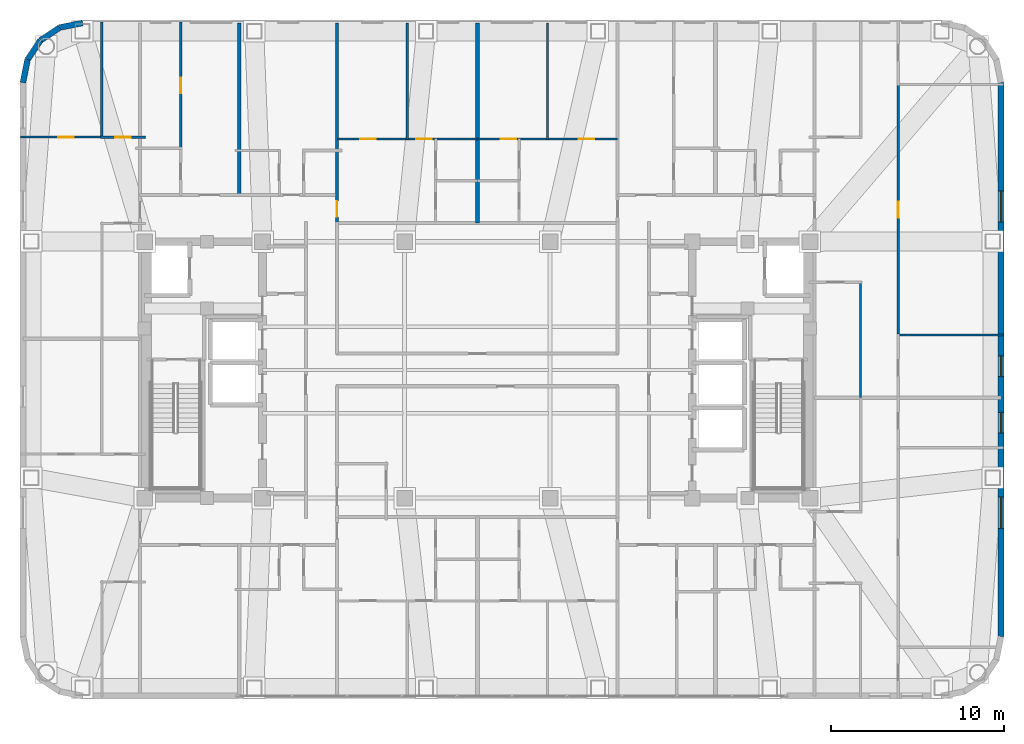
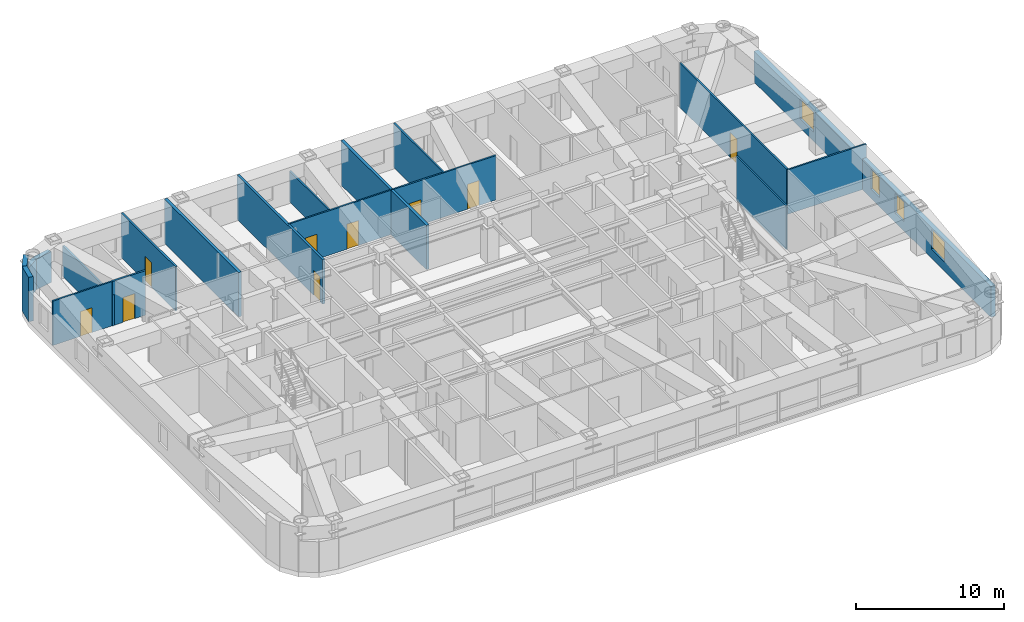
# One storey, part 13 of 16: 19 walls, 9 doors, 4 windows, 13 openings.
"""IFC4 building model written with IfcOpenShell, lengths in metres."""

from ifc_helpers import new_model, si_unit, direction, frame, frame_2d, origin, place, context, subcontext, project, spatial, rectangle, extrude, material, layer, layer_set, type_object, element, fill, save


model = new_model("IFC4")

# Units and contexts
model_context = context("Model", 3, precision=1e-05, world=origin(), true_north=direction((0.0, 1.0)))
body_context = subcontext(model_context, "Body", "Model", "MODEL_VIEW")
ifc_project = project(units=[si_unit("LENGTHUNIT", "METRE"), si_unit("AREAUNIT", "SQUARE_METRE"), si_unit("VOLUMEUNIT", "CUBIC_METRE"), si_unit("PLANEANGLEUNIT", "RADIAN"), si_unit("MASSUNIT", "GRAM", prefix="KILO")], contexts=[model_context])

# Site, building, storey
site_placement = place(None, origin())
site = spatial("IfcSite", under=ifc_project, at=site_placement, CompositionType="ELEMENT")
building_placement = place(site_placement, origin())
building = spatial("IfcBuilding", under=site, at=building_placement, Name="Voryun Gate Residences", CompositionType="ELEMENT")
storey_placement = place(building_placement, frame((0.0, 0.0, 200.199951171875)))
storey = spatial("IfcBuildingStorey", under=building, at=storey_placement, Name="L49", CompositionType="ELEMENT", Elevation=200.199951171875)

# Wall, opening, door
ifc_material_1 = material(Name="Gypsum acoustic fireboard")
ifc_layer_1 = layer(ifc_material_1, 0.179931640625, Name="W_CORR_RATED_180")
ifc_layer_set_1 = layer_set([ifc_layer_1], Name="Gypsum acoustic fireboard")
wall_type_1 = type_object("IfcWallType", Name="W_CORR_RATED_180", PredefinedType="PARTITIONING", material=ifc_layer_set_1)
wall_1_placement = place(storey_placement, frame((-8.10009765625, 8.489990234375, 0.0), z_axis=(0.0, 0.0, 1.0), x_axis=(0.0, 1.0, 0.0)))
wall_1 = element("IfcWall", 1, at=wall_1_placement, inside=storey, type_object=wall_type_1, Name="Partition wall WP-L49-NZV-1", PredefinedType="PARTITIONING", context=body_context, shape_type="SweptSolid", body=[
    extrude(rectangle(XDim=11.5400390625, YDim=0.179931640625, at=frame_2d((5.77001953125, 0.0))), origin(), (0.0, 0.0, 1.0), 3.650146484375),
])
opening_1_placement = place(wall_1_placement, frame((0.349609375, 0.0, 0.0)))
opening_1 = element("IfcOpeningElement", 2, at=opening_1_placement, cuts=wall_1, Name="Opening D-INT-2", PredefinedType="OPENING", context=body_context, shape_type="SweptSolid", body=[
    extrude(rectangle(XDim=0.89990234375, YDim=2.050048828125, at=frame_2d((0.449951171875, 1.02490234375))), frame((0.0, 0.099853515625, 0.0), z_axis=(0.0, -1.0, 0.0), x_axis=(1.0, 0.0, 0.0)), (0.0, 0.0, 1.0), 0.199951171875),
])
ifc_material_2 = material(Name="Architectural oak veneer")
door_type = type_object("IfcDoorType", Name="DR_INT_BATH_900", OperationType="NOTDEFINED", PredefinedType="DOOR", material=ifc_material_2)
door_1_placement = place(opening_1_placement, origin())
door_1 = element("IfcDoor", 3, at=door_1_placement, inside=storey, type_object=door_type, Name="Door DR-L49-NZENT-1", OperationType="SINGLE_SWING_LEFT", OverallHeight=2.050048828125, OverallWidth=0.89990234375, PredefinedType="DOOR", context=body_context, shape_type="SweptSolid", body=[
    extrude(rectangle(XDim=0.89990234375, YDim=2.050048828125, at=frame_2d((0.449951171875, 1.02490234375))), frame((0.0, 0.02490234375, 0.0), z_axis=(0.0, -1.0, 0.0), x_axis=(1.0, 0.0, 0.0)), (0.0, 0.0, 1.0), 0.050048828125),
])
fill(opening_1, door_1)

# Walls
ifc_material_3 = material(Name="Charcoal terracotta masonry", Category="masonry")
ifc_layer_2 = layer(ifc_material_3, 0.340087890625, Name="W_EXT_TERRACOTTA_340")
ifc_layer_set_2 = layer_set([ifc_layer_2], Name="Charcoal terracotta masonry")
wall_type_2 = type_object("IfcWallType", Name="W_EXT_TERRACOTTA_340", PredefinedType="ELEMENTEDWALL", material=ifc_layer_set_2)
wall_2_placement = place(storey_placement, frame((-26.22998046875, 16.583251953125, 0.0), z_axis=(0.0, 0.0, 1.0), x_axis=(0.195075878998, 0.980788153188, 0.0)))
element("IfcWall", 4, at=wall_2_placement, inside=storey, type_object=wall_type_2, Name="Exterior wall WEXT-L49-07", PredefinedType="ELEMENTEDWALL", context=body_context, shape_type="SweptSolid", body=[
    extrude(rectangle(XDim=1.354248046875, YDim=0.340087890625, at=frame_2d((0.67724609375, 0.0))), origin(), (0.0, 0.0, 1.0), 3.650146484375),
])
wall_3_placement = place(storey_placement, frame((-25.9658203125, 17.911376953125, 0.0), z_axis=(0.0, 0.0, 1.0), x_axis=(0.555669034571, 0.831403586725, 0.0)))
element("IfcWall", 5, at=wall_3_placement, inside=storey, type_object=wall_type_2, Name="Exterior wall WEXT-L49-08", PredefinedType="ELEMENTEDWALL", context=body_context, shape_type="SweptSolid", body=[
    extrude(rectangle(XDim=1.3369140625, YDim=0.340087890625, at=frame_2d((0.66845703125, 0.0))), origin(), (0.0, 0.0, 1.0), 3.650146484375),
])
wall_4_placement = place(storey_placement, frame((-25.222900390625, 19.02294921875, 0.0), z_axis=(0.0, 0.0, 1.0), x_axis=(0.831403586725, 0.555669034571, 0.0)))
element("IfcWall", 6, at=wall_4_placement, inside=storey, type_object=wall_type_2, Name="Exterior wall WEXT-L49-09", PredefinedType="ELEMENTEDWALL", context=body_context, shape_type="SweptSolid", body=[
    extrude(rectangle(XDim=1.3369140625, YDim=0.340087890625, at=frame_2d((0.66845703125, 0.0))), origin(), (0.0, 0.0, 1.0), 2.5400390625),
])
wall_5_placement = place(storey_placement, frame((-24.111328125, 19.765869140625, 0.0), z_axis=(0.0, 0.0, 1.0), x_axis=(0.980788153188, 0.195075878998, 0.0)))
element("IfcWall", 7, at=wall_5_placement, inside=storey, type_object=wall_type_2, Name="Exterior wall WEXT-L49-10", PredefinedType="ELEMENTEDWALL", context=body_context, shape_type="SweptSolid", body=[
    extrude(rectangle(XDim=1.354248046875, YDim=0.340087890625, at=frame_2d((0.67724609375, 0.0))), origin(), (0.0, 0.0, 1.0), 2.5400390625),
])

# Wall, openings, windows
wall_6_placement = place(storey_placement, frame((30.22998046875, 16.583251953125, 0.0), z_axis=(0.0, 0.0, 1.0), x_axis=(0.0, -1.0, 0.0)))
wall_6 = element("IfcWall", 8, at=wall_6_placement, inside=storey, type_object=wall_type_2, Name="Exterior wall WEXT-L49-16", PredefinedType="ELEMENTEDWALL", context=body_context, shape_type="SweptSolid", body=[
    extrude(rectangle(XDim=31.966552734375, YDim=0.340087890625, at=frame_2d((15.9833984375, 0.0))), origin(), (0.0, 0.0, 1.0), 2.5400390625),
])
opening_2_placement = place(wall_6_placement, frame((6.24169921875, 0.0, 0.75)))
opening_2 = element("IfcOpeningElement", 9, at=opening_2_placement, cuts=wall_6, Name="Opening WN1", PredefinedType="OPENING", context=body_context, shape_type="SweptSolid", body=[
    extrude(rectangle(XDim=1.800048828125, YDim=1.6298828125, at=frame_2d((0.89990234375, 0.81494140625))), frame((0.0, 0.179931640625, 0.0), z_axis=(0.0, -1.0, 0.0), x_axis=(1.0, 0.0, 0.0)), (0.0, 0.0, 1.0), 0.360107421875),
])
opening_3_placement = place(wall_6_placement, frame((23.925048828125, 0.0, 0.75)))
opening_3 = element("IfcOpeningElement", 10, at=opening_3_placement, cuts=wall_6, Name="Opening WN1", PredefinedType="OPENING", context=body_context, shape_type="SweptSolid", body=[
    extrude(rectangle(XDim=1.800048828125, YDim=1.6298828125, at=frame_2d((0.89990234375, 0.81494140625))), frame((0.0, 0.179931640625, 0.0), z_axis=(0.0, -1.0, 0.0), x_axis=(1.0, 0.0, 0.0)), (0.0, 0.0, 1.0), 0.360107421875),
])
opening_4_placement = place(wall_6_placement, frame((19.0302734375, 0.0, 0.75)))
opening_4 = element("IfcOpeningElement", 11, at=opening_4_placement, cuts=wall_6, Name="Opening WN6", PredefinedType="OPENING", context=body_context, shape_type="SweptSolid", body=[
    extrude(rectangle(XDim=1.199951171875, YDim=1.6298828125, at=frame_2d((0.60009765625, 0.81494140625))), frame((0.0, 0.179931640625, 0.0), z_axis=(0.0, -1.0, 0.0), x_axis=(1.0, 0.0, 0.0)), (0.0, 0.0, 1.0), 0.360107421875),
])
opening_5_placement = place(wall_6_placement, frame((15.773193359375, 0.0, 0.75)))
opening_5 = element("IfcOpeningElement", 12, at=opening_5_placement, cuts=wall_6, Name="Opening WN6", PredefinedType="OPENING", context=body_context, shape_type="SweptSolid", body=[
    extrude(rectangle(XDim=1.199951171875, YDim=1.6298828125, at=frame_2d((0.60009765625, 0.81494140625))), frame((0.0, 0.179931640625, 0.0), z_axis=(0.0, -1.0, 0.0), x_axis=(1.0, 0.0, 0.0)), (0.0, 0.0, 1.0), 0.360107421875),
])
ifc_material_4 = material(Name="Laminated low-E glass", Category="glass")
window_type_1 = type_object("IfcWindowType", Name="WN_POD_SLOT_1200", PartitioningType="SINGLE_PANEL", PredefinedType="WINDOW", material=ifc_material_4)
window_1_placement = place(opening_4_placement, origin())
window_1 = element("IfcWindow", 13, at=window_1_placement, inside=storey, type_object=window_type_1, Name="Window WN-L49-DWFIX-12", OverallHeight=1.6298828125, OverallWidth=1.199951171875, PartitioningType="SINGLE_PANEL", PredefinedType="WINDOW", context=body_context, shape_type="SweptSolid", body=[
    extrude(rectangle(XDim=1.199951171875, YDim=1.6298828125, at=frame_2d((0.60009765625, 0.81494140625))), frame((0.0, 0.030029296875, 0.0), z_axis=(0.0, -1.0, 0.0), x_axis=(1.0, 0.0, 0.0)), (0.0, 0.0, 1.0), 0.06005859375),
])
fill(opening_4, window_1)
window_2_placement = place(opening_5_placement, origin())
window_2 = element("IfcWindow", 14, at=window_2_placement, inside=storey, type_object=window_type_1, Name="Window WN-L49-DWFIX-16", OverallHeight=1.6298828125, OverallWidth=1.199951171875, PartitioningType="SINGLE_PANEL", PredefinedType="WINDOW", context=body_context, shape_type="SweptSolid", body=[
    extrude(rectangle(XDim=1.199951171875, YDim=1.6298828125, at=frame_2d((0.60009765625, 0.81494140625))), frame((0.0, 0.030029296875, 0.0), z_axis=(0.0, -1.0, 0.0), x_axis=(1.0, 0.0, 0.0)), (0.0, 0.0, 1.0), 0.06005859375),
])
fill(opening_5, window_2)
ifc_material_5 = material(Name="Laminated low-E glass", Category="glass")
window_type_2 = type_object("IfcWindowType", Name="WN_RES_PUNCH_1800", PartitioningType="SINGLE_PANEL", PredefinedType="WINDOW", material=ifc_material_5)
window_3_placement = place(opening_2_placement, origin())
window_3 = element("IfcWindow", 15, at=window_3_placement, inside=storey, type_object=window_type_2, Name="Window WN-WEXT-L49-16-01", OverallHeight=1.6298828125, OverallWidth=1.800048828125, PartitioningType="SINGLE_PANEL", PredefinedType="WINDOW", context=body_context, shape_type="SweptSolid", body=[
    extrude(rectangle(XDim=1.800048828125, YDim=1.6298828125, at=frame_2d((0.89990234375, 0.81494140625))), frame((0.0, 0.030029296875, 0.0), z_axis=(0.0, -1.0, 0.0), x_axis=(1.0, 0.0, 0.0)), (0.0, 0.0, 1.0), 0.06005859375),
])
fill(opening_2, window_3)
window_4_placement = place(opening_3_placement, origin())
window_4 = element("IfcWindow", 16, at=window_4_placement, inside=storey, type_object=window_type_2, Name="Window WN-WEXT-L49-16-02", OverallHeight=1.6298828125, OverallWidth=1.800048828125, PartitioningType="SINGLE_PANEL", PredefinedType="WINDOW", context=body_context, shape_type="SweptSolid", body=[
    extrude(rectangle(XDim=1.800048828125, YDim=1.6298828125, at=frame_2d((0.89990234375, 0.81494140625))), frame((0.0, 0.030029296875, 0.0), z_axis=(0.0, -1.0, 0.0), x_axis=(1.0, 0.0, 0.0)), (0.0, 0.0, 1.0), 0.06005859375),
])
fill(opening_3, window_4)

# Walls
ifc_material_6 = material(Name="Concrete C40/50", Category="concrete")
ifc_layer_3 = layer(ifc_material_6, 0.219970703125, Name="W_PARTY_ACOUSTIC_220")
ifc_layer_set_3 = layer_set([ifc_layer_3], Name="Concrete C40/50")
wall_type_3 = type_object("IfcWallType", Name="W_PARTY_ACOUSTIC_220", PredefinedType="PARTITIONING", material=ifc_layer_set_3)
wall_7_placement = place(storey_placement, frame((-13.739990234375, 10.02001953125, 0.0), z_axis=(0.0, 0.0, 1.0), x_axis=(0.0, 1.0, 0.0)))
element("IfcWall", 17, at=wall_7_placement, inside=storey, type_object=wall_type_3, Name="Partition wall WP-L49-NPTY-1", PredefinedType="PARTITIONING", context=body_context, shape_type="SweptSolid", body=[
    extrude(rectangle(XDim=10.010009765625, YDim=0.219970703125, at=frame_2d((5.0048828125, 0.0))), origin(), (0.0, 0.0, 1.0), 3.650146484375),
])
wall_8_placement = place(storey_placement, frame((0.0, 8.489990234375, 0.0), z_axis=(0.0, 0.0, 1.0), x_axis=(0.0, 1.0, 0.0)))
element("IfcWall", 18, at=wall_8_placement, inside=storey, type_object=wall_type_3, Name="Partition wall WP-L49-NZMID", PredefinedType="PARTITIONING", context=body_context, shape_type="SweptSolid", body=[
    extrude(rectangle(XDim=11.5400390625, YDim=0.219970703125, at=frame_2d((5.77001953125, 0.0))), origin(), (0.0, 0.0, 1.0), 3.650146484375),
])

# Wall, openings, doors
ifc_material_7 = material(Name="Gypsum acoustic partition")
ifc_layer_4 = layer(ifc_material_7, 0.125, Name="W_UNIT_PART_125")
ifc_layer_set_4 = layer_set([ifc_layer_4], Name="Gypsum acoustic partition")
wall_type_4 = type_object("IfcWallType", Name="W_UNIT_PART_125", PredefinedType="PARTITIONING", material=ifc_layer_set_4)
wall_9_placement = place(storey_placement, frame((-8.080078125, 13.330078125, 0.0), z_axis=(0.0, 0.0, 1.0), x_axis=(1.0, 0.0, 0.0)))
wall_9 = element("IfcWall", 19, at=wall_9_placement, inside=storey, type_object=wall_type_4, Name="Partition wall WP-L49-NC1-HZ", PredefinedType="PARTITIONING", context=body_context, shape_type="SweptSolid", body=[
    extrude(rectangle(XDim=8.06005859375, YDim=0.125, at=frame_2d((4.030029296875, 0.0))), origin(), (0.0, 0.0, 1.0), 3.650146484375),
])
opening_6_placement = place(wall_9_placement, frame((1.3232421875, 0.0, 0.0)))
opening_6 = element("IfcOpeningElement", 20, at=opening_6_placement, cuts=wall_9, Name="Opening D-INT-2", PredefinedType="OPENING", context=body_context, shape_type="SweptSolid", body=[
    extrude(rectangle(XDim=0.89990234375, YDim=2.050048828125, at=frame_2d((0.449951171875, 1.02490234375))), frame((0.0, 0.072509765625, 0.0), z_axis=(0.0, -1.0, 0.0), x_axis=(1.0, 0.0, 0.0)), (0.0, 0.0, 1.0), 0.14501953125),
])
opening_7_placement = place(wall_9_placement, frame((4.547119140625, 0.0, 0.0)))
opening_7 = element("IfcOpeningElement", 21, at=opening_7_placement, cuts=wall_9, Name="Opening D-INT-2", PredefinedType="OPENING", context=body_context, shape_type="SweptSolid", body=[
    extrude(rectangle(XDim=0.89990234375, YDim=2.050048828125, at=frame_2d((0.449951171875, 1.02490234375))), frame((0.0, 0.072509765625, 0.0), z_axis=(0.0, -1.0, 0.0), x_axis=(1.0, 0.0, 0.0)), (0.0, 0.0, 1.0), 0.14501953125),
])
door_2_placement = place(opening_6_placement, origin())
door_2 = element("IfcDoor", 22, at=door_2_placement, inside=storey, type_object=door_type, Name="Door DR-L49-NC1-DMB", OperationType="SINGLE_SWING_LEFT", OverallHeight=2.050048828125, OverallWidth=0.89990234375, PredefinedType="DOOR", context=body_context, shape_type="SweptSolid", body=[
    extrude(rectangle(XDim=0.89990234375, YDim=2.050048828125, at=frame_2d((0.449951171875, 1.02490234375))), frame((0.0, 0.02490234375, 0.0), z_axis=(0.0, -1.0, 0.0), x_axis=(1.0, 0.0, 0.0)), (0.0, 0.0, 1.0), 0.050048828125),
])
fill(opening_6, door_2)
door_3_placement = place(opening_7_placement, origin())
door_3 = element("IfcDoor", 23, at=door_3_placement, inside=storey, type_object=door_type, Name="Door DR-L49-NC1-DBD2", OperationType="SINGLE_SWING_RIGHT", OverallHeight=2.050048828125, OverallWidth=0.89990234375, PredefinedType="DOOR", context=body_context, shape_type="SweptSolid", body=[
    extrude(rectangle(XDim=0.89990234375, YDim=2.050048828125, at=frame_2d((0.449951171875, 1.02490234375))), frame((0.0, 0.02490234375, 0.0), z_axis=(0.0, -1.0, 0.0), x_axis=(1.0, 0.0, 0.0)), (0.0, 0.0, 1.0), 0.050048828125),
])
fill(opening_7, door_3)

# Wall
wall_10_placement = place(storey_placement, frame((-4.050048828125, 13.2900390625, 0.0), z_axis=(0.0, 0.0, 1.0), x_axis=(0.0, 1.0, 0.0)))
element("IfcWall", 24, at=wall_10_placement, inside=storey, type_object=wall_type_4, Name="Partition wall WP-L49-NC1-VBD", PredefinedType="PARTITIONING", context=body_context, shape_type="SweptSolid", body=[
    extrude(rectangle(XDim=6.739990234375, YDim=0.125, at=frame_2d((3.3701171875, 0.0))), origin(), (0.0, 0.0, 1.0), 2.5400390625),
])

# Wall, openings, doors
wall_11_placement = place(storey_placement, frame((0.02001953125, 13.330078125, 0.0), z_axis=(0.0, 0.0, 1.0), x_axis=(1.0, 0.0, 0.0)))
wall_11 = element("IfcWall", 25, at=wall_11_placement, inside=storey, type_object=wall_type_4, Name="Partition wall WP-L49-NC2-HZ", PredefinedType="PARTITIONING", context=body_context, shape_type="SweptSolid", body=[
    extrude(rectangle(XDim=8.06005859375, YDim=0.125, at=frame_2d((4.030029296875, 0.0))), origin(), (0.0, 0.0, 1.0), 3.650146484375),
])
opening_8_placement = place(wall_11_placement, frame((1.3232421875, 0.0, 0.0)))
opening_8 = element("IfcOpeningElement", 26, at=opening_8_placement, cuts=wall_11, Name="Opening D-INT-2", PredefinedType="OPENING", context=body_context, shape_type="SweptSolid", body=[
    extrude(rectangle(XDim=0.89990234375, YDim=2.050048828125, at=frame_2d((0.449951171875, 1.02490234375))), frame((0.0, 0.072509765625, 0.0), z_axis=(0.0, -1.0, 0.0), x_axis=(1.0, 0.0, 0.0)), (0.0, 0.0, 1.0), 0.14501953125),
])
opening_9_placement = place(wall_11_placement, frame((5.8369140625, 0.0, 0.0)))
opening_9 = element("IfcOpeningElement", 27, at=opening_9_placement, cuts=wall_11, Name="Opening D-INT-2", PredefinedType="OPENING", context=body_context, shape_type="SweptSolid", body=[
    extrude(rectangle(XDim=0.89990234375, YDim=2.050048828125, at=frame_2d((0.449951171875, 1.02490234375))), frame((0.0, 0.072509765625, 0.0), z_axis=(0.0, -1.0, 0.0), x_axis=(1.0, 0.0, 0.0)), (0.0, 0.0, 1.0), 0.14501953125),
])
door_4_placement = place(opening_8_placement, origin())
door_4 = element("IfcDoor", 28, at=door_4_placement, inside=storey, type_object=door_type, Name="Door DR-L49-NC2-DMB", OperationType="SINGLE_SWING_LEFT", OverallHeight=2.050048828125, OverallWidth=0.89990234375, PredefinedType="DOOR", context=body_context, shape_type="SweptSolid", body=[
    extrude(rectangle(XDim=0.89990234375, YDim=2.050048828125, at=frame_2d((0.449951171875, 1.02490234375))), frame((0.0, 0.02490234375, 0.0), z_axis=(0.0, -1.0, 0.0), x_axis=(1.0, 0.0, 0.0)), (0.0, 0.0, 1.0), 0.050048828125),
])
fill(opening_8, door_4)
door_5_placement = place(opening_9_placement, origin())
door_5 = element("IfcDoor", 29, at=door_5_placement, inside=storey, type_object=door_type, Name="Door DR-L49-NC2-DBD2", OperationType="SINGLE_SWING_RIGHT", OverallHeight=2.050048828125, OverallWidth=0.89990234375, PredefinedType="DOOR", context=body_context, shape_type="SweptSolid", body=[
    extrude(rectangle(XDim=0.89990234375, YDim=2.050048828125, at=frame_2d((0.449951171875, 1.02490234375))), frame((0.0, 0.02490234375, 0.0), z_axis=(0.0, -1.0, 0.0), x_axis=(1.0, 0.0, 0.0)), (0.0, 0.0, 1.0), 0.050048828125),
])
fill(opening_9, door_5)

# Wall
wall_12_placement = place(storey_placement, frame((4.050048828125, 13.2900390625, 0.0), z_axis=(0.0, 0.0, 1.0), x_axis=(0.0, 1.0, 0.0)))
element("IfcWall", 30, at=wall_12_placement, inside=storey, type_object=wall_type_4, Name="Partition wall WP-L49-NC2-VBD", PredefinedType="PARTITIONING", context=body_context, shape_type="SweptSolid", body=[
    extrude(rectangle(XDim=6.739990234375, YDim=0.125, at=frame_2d((3.3701171875, 0.0))), origin(), (0.0, 0.0, 1.0), 3.650146484375),
])

# Wall, opening, door
wall_13_placement = place(storey_placement, frame((-26.3798828125, 13.43701171875, 0.0), z_axis=(0.0, 0.0, 1.0), x_axis=(1.0, 0.0, 0.0)))
wall_13 = element("IfcWall", 31, at=wall_13_placement, inside=storey, type_object=wall_type_4, Name="Partition wall WP-L49-W2-OHZ", PredefinedType="PARTITIONING", context=body_context, shape_type="SweptSolid", body=[
    extrude(rectangle(XDim=4.769775390625, YDim=0.125, at=frame_2d((2.384765625, 0.0))), origin(), (0.0, 0.0, 1.0), 3.650146484375),
])
opening_10_placement = place(wall_13_placement, frame((2.173583984375, 0.0, 0.0)))
opening_10 = element("IfcOpeningElement", 32, at=opening_10_placement, cuts=wall_13, Name="Opening D-INT-2", PredefinedType="OPENING", context=body_context, shape_type="SweptSolid", body=[
    extrude(rectangle(XDim=0.89990234375, YDim=2.050048828125, at=frame_2d((0.449951171875, 1.02490234375))), frame((0.0, 0.072509765625, 0.0), z_axis=(0.0, -1.0, 0.0), x_axis=(1.0, 0.0, 0.0)), (0.0, 0.0, 1.0), 0.14501953125),
])
door_6_placement = place(opening_10_placement, origin())
door_6 = element("IfcDoor", 33, at=door_6_placement, inside=storey, type_object=door_type, Name="Door DR-L49-W2-DMB", OperationType="SINGLE_SWING_LEFT", OverallHeight=2.050048828125, OverallWidth=0.89990234375, PredefinedType="DOOR", context=body_context, shape_type="SweptSolid", body=[
    extrude(rectangle(XDim=0.89990234375, YDim=2.050048828125, at=frame_2d((0.449951171875, 1.02490234375))), frame((0.0, 0.02490234375, 0.0), z_axis=(0.0, -1.0, 0.0), x_axis=(1.0, 0.0, 0.0)), (0.0, 0.0, 1.0), 0.050048828125),
])
fill(opening_10, door_6)

# Wall
wall_14_placement = place(storey_placement, frame((24.219970703125, 2.02001953125, 0.0), z_axis=(0.0, 0.0, 1.0), x_axis=(1.0, 0.0, 0.0)))
element("IfcWall", 34, at=wall_14_placement, inside=storey, type_object=wall_type_4, Name="Partition wall WP-L49-E2-OH1", PredefinedType="PARTITIONING", context=body_context, shape_type="SweptSolid", body=[
    extrude(rectangle(XDim=6.159912109375, YDim=0.125, at=frame_2d((3.080078125, 0.0))), origin(), (0.0, 0.0, 1.0), 3.650146484375),
])

# Wall, opening, door
wall_15_placement = place(storey_placement, frame((24.300048828125, 1.969970703125, 0.0), z_axis=(0.0, 0.0, 1.0), x_axis=(0.0, 1.0, 0.0)))
wall_15 = element("IfcWall", 35, at=wall_15_placement, inside=storey, type_object=wall_type_4, Name="Partition wall WP-L49-E2-OVX2", PredefinedType="PARTITIONING", context=body_context, shape_type="SweptSolid", body=[
    extrude(rectangle(XDim=14.55712890625, YDim=0.125, at=frame_2d((7.278564453125, 0.0))), origin(), (0.0, 0.0, 1.0), 3.650146484375),
])
opening_11_placement = place(wall_15_placement, frame((6.82861328125, 0.0, 0.0)))
opening_11 = element("IfcOpeningElement", 36, at=opening_11_placement, cuts=wall_15, Name="Opening D-INT-2", PredefinedType="OPENING", context=body_context, shape_type="SweptSolid", body=[
    extrude(rectangle(XDim=0.89990234375, YDim=2.050048828125, at=frame_2d((0.449951171875, 1.02490234375))), frame((0.0, 0.072509765625, 0.0), z_axis=(0.0, -1.0, 0.0), x_axis=(1.0, 0.0, 0.0)), (0.0, 0.0, 1.0), 0.14501953125),
])
door_7_placement = place(opening_11_placement, origin())
door_7 = element("IfcDoor", 37, at=door_7_placement, inside=storey, type_object=door_type, Name="Door DR-L49-E2-DSTD", OperationType="SINGLE_SWING_RIGHT", OverallHeight=2.050048828125, OverallWidth=0.89990234375, PredefinedType="DOOR", context=body_context, shape_type="SweptSolid", body=[
    extrude(rectangle(XDim=0.89990234375, YDim=2.050048828125, at=frame_2d((0.449951171875, 1.02490234375))), frame((0.0, 0.02490234375, 0.0), z_axis=(0.0, -1.0, 0.0), x_axis=(1.0, 0.0, 0.0)), (0.0, 0.0, 1.0), 0.050048828125),
])
fill(opening_11, door_7)

# Wall
wall_16_placement = place(storey_placement, frame((22.1201171875, -1.580078125, 0.0), z_axis=(0.0, 0.0, 1.0), x_axis=(0.0, 1.0, 0.0)))
element("IfcWall", 38, at=wall_16_placement, inside=storey, type_object=wall_type_4, Name="Partition wall WP-L49-E2-VTA", PredefinedType="PARTITIONING", context=body_context, shape_type="SweptSolid", body=[
    extrude(rectangle(XDim=6.719970703125, YDim=0.125, at=frame_2d((3.35986328125, 0.0))), origin(), (0.0, 0.0, 1.0), 3.650146484375),
])

# Wall, opening, door
ifc_material_8 = material(Name="Gypsum moisture-resistant partition")
ifc_layer_5 = layer(ifc_material_8, 0.14990234375, Name="W_WET_PLUMB_150")
ifc_layer_set_5 = layer_set([ifc_layer_5], Name="Gypsum moisture-resistant partition")
wall_type_5 = type_object("IfcWallType", Name="W_WET_PLUMB_150", PredefinedType="PLUMBINGWALL", material=ifc_layer_set_5)
wall_17_placement = place(storey_placement, frame((-17.12109375, 12.760009765625, 0.0), z_axis=(0.0, 0.0, 1.0), x_axis=(0.0, 1.0, 0.0)))
wall_17 = element("IfcWall", 39, at=wall_17_placement, inside=storey, type_object=wall_type_5, Name="Partition wall WP-L49-N1-SVT2", PredefinedType="PLUMBINGWALL", context=body_context, shape_type="SweptSolid", body=[
    extrude(rectangle(XDim=7.31689453125, YDim=0.14990234375, at=frame_2d((3.658447265625, 0.0))), origin(), (0.0, 0.0, 1.0), 3.650146484375),
])
opening_12_placement = place(wall_17_placement, frame((3.20849609375, 0.0, 0.0)))
opening_12 = element("IfcOpeningElement", 40, at=opening_12_placement, cuts=wall_17, Name="Opening D-INT-2", PredefinedType="OPENING", context=body_context, shape_type="SweptSolid", body=[
    extrude(rectangle(XDim=0.89990234375, YDim=2.050048828125, at=frame_2d((0.449951171875, 1.02490234375))), frame((0.0, 0.0849609375, 0.0), z_axis=(0.0, -1.0, 0.0), x_axis=(1.0, 0.0, 0.0)), (0.0, 0.0, 1.0), 0.169921875),
])
door_8_placement = place(opening_12_placement, origin())
door_8 = element("IfcDoor", 41, at=door_8_placement, inside=storey, type_object=door_type, Name="Door DR-L49-N1-DK", OperationType="SINGLE_SWING_RIGHT", OverallHeight=2.050048828125, OverallWidth=0.89990234375, PredefinedType="DOOR", context=body_context, shape_type="SweptSolid", body=[
    extrude(rectangle(XDim=0.89990234375, YDim=2.050048828125, at=frame_2d((0.449951171875, 1.02490234375))), frame((0.0, 0.02490234375, 0.0), z_axis=(0.0, -1.0, 0.0), x_axis=(1.0, 0.0, 0.0)), (0.0, 0.0, 1.0), 0.050048828125),
])
fill(opening_12, door_8)

wall_18_placement = place(storey_placement, frame((-21.75, 13.43701171875, 0.0), z_axis=(0.0, 0.0, 1.0), x_axis=(1.0, 0.0, 0.0)))
wall_18 = element("IfcWall", 42, at=wall_18_placement, inside=storey, type_object=wall_type_5, Name="Partition wall WP-L49-W2-IBB", PredefinedType="PLUMBINGWALL", context=body_context, shape_type="SweptSolid", body=[
    extrude(rectangle(XDim=2.60009765625, YDim=0.14990234375, at=frame_2d((1.300048828125, 0.0))), origin(), (0.0, 0.0, 1.0), 3.650146484375),
])
opening_13_placement = place(wall_18_placement, frame((0.85009765625, 0.0, 0.0)))
opening_13 = element("IfcOpeningElement", 43, at=opening_13_placement, cuts=wall_18, Name="Opening D-INT-2", PredefinedType="OPENING", context=body_context, shape_type="SweptSolid", body=[
    extrude(rectangle(XDim=0.89990234375, YDim=2.050048828125, at=frame_2d((0.449951171875, 1.02490234375))), frame((0.0, 0.0849609375, 0.0), z_axis=(0.0, -1.0, 0.0), x_axis=(1.0, 0.0, 0.0)), (0.0, 0.0, 1.0), 0.169921875),
])
door_9_placement = place(opening_13_placement, origin())
door_9 = element("IfcDoor", 44, at=door_9_placement, inside=storey, type_object=door_type, Name="Door DR-L49-W2-DB", OperationType="SINGLE_SWING_RIGHT", OverallHeight=2.050048828125, OverallWidth=0.89990234375, PredefinedType="DOOR", context=body_context, shape_type="SweptSolid", body=[
    extrude(rectangle(XDim=0.89990234375, YDim=2.050048828125, at=frame_2d((0.449951171875, 1.02490234375))), frame((0.0, 0.02490234375, 0.0), z_axis=(0.0, -1.0, 0.0), x_axis=(1.0, 0.0, 0.0)), (0.0, 0.0, 1.0), 0.050048828125),
])
fill(opening_13, door_9)

# Wall
wall_19_placement = place(storey_placement, frame((-21.669921875, 13.35693359375, 0.0), z_axis=(0.0, 0.0, 1.0), x_axis=(0.0, 1.0, 0.0)))
element("IfcWall", 45, at=wall_19_placement, inside=storey, type_object=wall_type_5, Name="Partition wall WP-L49-W2-VTB", PredefinedType="PLUMBINGWALL", context=body_context, shape_type="SweptSolid", body=[
    extrude(rectangle(XDim=6.719970703125, YDim=0.14990234375, at=frame_2d((3.35986328125, 0.0))), origin(), (0.0, 0.0, 1.0), 2.5400390625),
])

save(model, "model.ifc")
